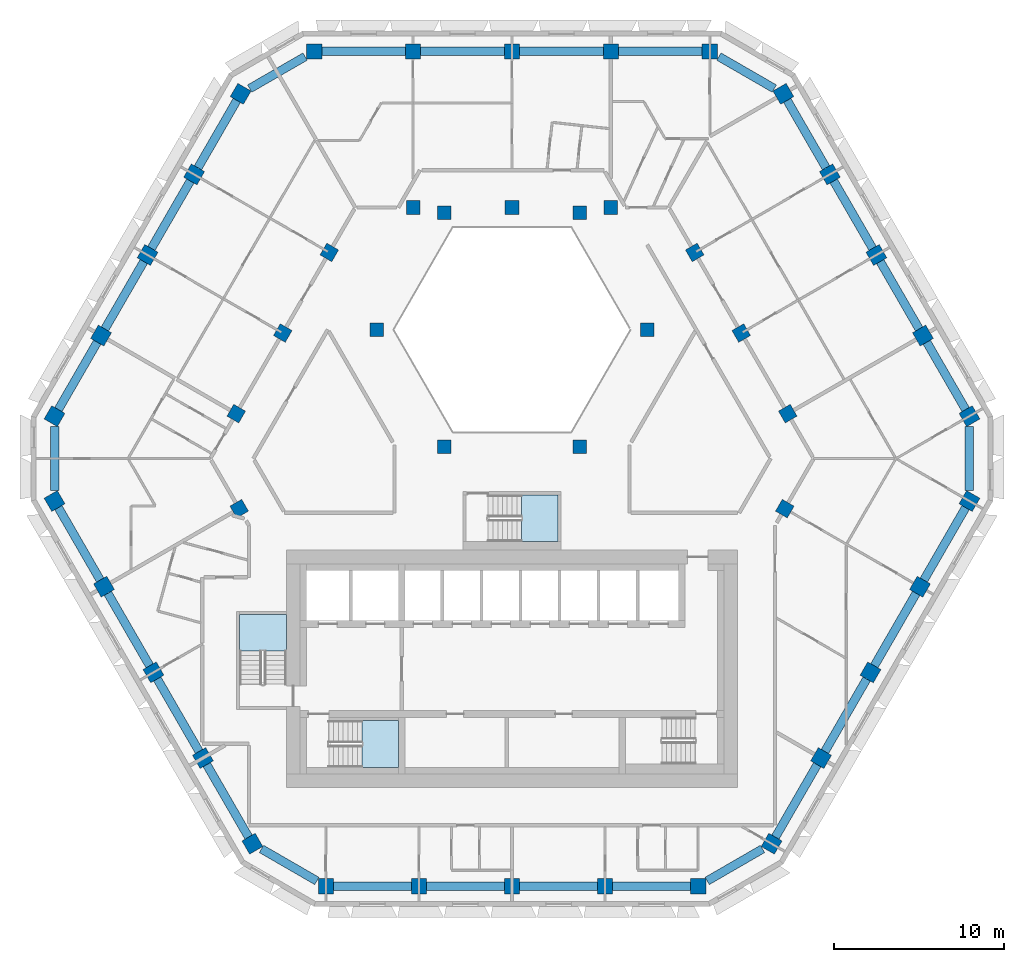
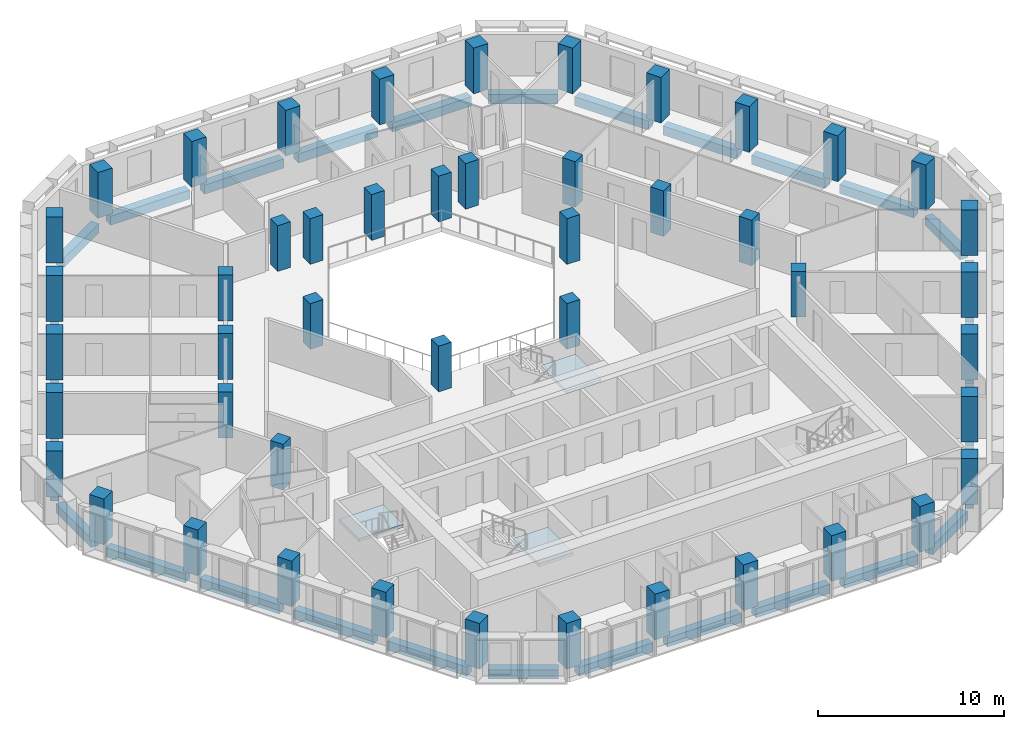
# One storey, part 1 of 15: 47 columns, 30 beams, 3 slabs, 3 elements without a shape of their own.
"""IFC4 building model written with IfcOpenShell, lengths in metres."""

from ifc_helpers import new_model, si_unit, direction, frame, origin, origin_2d, place, context, subcontext, project, spatial, polyline, rectangle, outline, extrude, material, layer, layer_set, material_profile, profile_set, type_object, element, aggregate, save


model = new_model("IFC4")

# Units and contexts
model_context = context("Model", 3, precision=1e-05, world=origin(), true_north=direction((0.0, 1.0)))
body_context = subcontext(model_context, "Body", "Model", "MODEL_VIEW")
ifc_project = project(units=[si_unit("LENGTHUNIT", "METRE"), si_unit("AREAUNIT", "SQUARE_METRE"), si_unit("VOLUMEUNIT", "CUBIC_METRE"), si_unit("PLANEANGLEUNIT", "RADIAN"), si_unit("MASSUNIT", "GRAM", prefix="KILO")], contexts=[model_context])

# Site, building, storey
site_placement = place(None, origin())
site = spatial("IfcSite", under=ifc_project, at=site_placement, CompositionType="ELEMENT")
building_placement = place(site_placement, origin())
building = spatial("IfcBuilding", under=site, at=building_placement, Name="Beryl Residences", CompositionType="ELEMENT")
storey_placement = place(building_placement, frame((0.0, 0.0, 117.60009765625)))
storey = spatial("IfcBuildingStorey", under=building, at=storey_placement, Name="L35", CompositionType="ELEMENT", Elevation=117.60009765625)

# Columns
ifc_material_1 = material(Name="Concrete C60/75", Category="concrete")
ifc_material_profile_1 = material_profile(ifc_material_1, rectangle(XDim=0.89990234375, YDim=0.89990234375, at=origin_2d()))
ifc_profile_set_1 = profile_set([ifc_material_profile_1], Name="Concrete C60/75")
column_type_1 = type_object("IfcColumnType", Name="C3 tube column 900 x 900 C60/75", PredefinedType="COLUMN", material=ifc_profile_set_1)
for number, where, z_axis, x_axis, name in (
    (1, (11.662109375, 24.39990234375, 0.0), (0.0, 0.0, 1.0), (-1.0, 0.0, 0.0), "C3-N1 L35"),
    (2, (5.8310546875, 24.39990234375, 0.0), (0.0, 0.0, 1.0), (-1.0, 0.0, 0.0), "C3-N2 L35"),
    (3, (0.0, 24.39990234375, 0.0), (0.0, 0.0, 1.0), (-1.0, 0.0, 0.0), "C3-N3 L35"),
    (4, (-5.8310546875, 24.39990234375, 0.0), (0.0, 0.0, 1.0), (-1.0, 0.0, 0.0), "C3-N4 L35"),
    (5, (-11.662109375, 24.39990234375, 0.0), (0.0, 0.0, 1.0), (-1.0, 0.0, 0.0), "C3-N5 L35"),
    (6, (-15.992919921875, 21.89990234375, 0.0), (0.0, 0.0, 1.0), (-0.5, -0.866025403784, 0.0), "C3-NW1 L35"),
    (7, (-18.735107421875, 17.14990234375, 0.0), (0.0, 0.0, 1.0), (-0.5, -0.866025403784, 0.0), "C3-NW2 L35"),
    (8, (-21.47802734375, 12.39990234375, 0.0), (0.0, 0.0, 1.0), (-0.5, -0.866025403784, 0.0), "C3-NW3 L35"),
    (9, (-24.219970703125, 7.64990234375, 0.0), (0.0, 0.0, 1.0), (-0.5, -0.866025403784, 0.0), "C3-NW4 L35"),
    (10, (-26.962890625, 2.89990234375, 0.0), (0.0, 0.0, 1.0), (-0.5, -0.866025403784, 0.0), "C3-NW5 L35"),
    (11, (-26.9619140625, -2.10009765625, 0.0), (0.0, 0.0, 1.0), (0.5, -0.866025403784, 0.0), "C3-SW1 L35"),
    (12, (-24.047119140625, -7.14892578125, 0.0), (0.0, 0.0, 1.0), (0.5, -0.866025403784, 0.0), "C3-SW2 L35"),
    (13, (-21.131103515625, -12.198974609375, 0.0), (0.0, 0.0, 1.0), (0.5, -0.866025403784, 0.0), "C3-SW3 L35"),
    (14, (-18.216064453125, -17.2490234375, 0.0), (0.0, 0.0, 1.0), (0.5, -0.866025403784, 0.0), "C3-SW4 L35"),
    (15, (-15.300048828125, -22.299072265625, 0.0), (0.0, 0.0, 1.0), (0.5, -0.866025403784, 0.0), "C3-SW5 L35"),
    (16, (-10.968994140625, -24.800048828125, 0.0), (0.0, 0.0, 1.0), (1.0, 0.0, 0.0), "C3-S1 L35"),
    (17, (-5.48388671875, -24.800048828125, 0.0), (0.0, 0.0, 1.0), (1.0, 0.0, 0.0), "C3-S2 L35"),
    (18, (0.0009765625, -24.800048828125, 0.0), (0.0, 0.0, 1.0), (1.0, 0.0, 0.0), "C3-S3 L35"),
    (19, (5.486083984375, -24.800048828125, 0.0), (0.0, 0.0, 1.0), (1.0, 0.0, 0.0), "C3-S4 L35"),
    (20, (10.970947265625, -24.800048828125, 0.0), (0.0, 0.0, 1.0), (1.0, 0.0, 0.0), "C3-S5 L35"),
    (21, (15.299072265625, -22.300048828125, 0.0), (0.0, 0.0, 1.0), (0.5, 0.866025403784, 0.0), "C3-SE1 L35"),
    (22, (18.215087890625, -17.2509765625, 0.0), (0.0, 0.0, 1.0), (0.5, 0.866025403784, 0.0), "C3-SE2 L35"),
    (23, (21.1298828125, -12.200927734375, 0.0), (0.0, 0.0, 1.0), (0.5, 0.866025403784, 0.0), "C3-SE3 L35"),
    (24, (24.0458984375, -7.15087890625, 0.0), (0.0, 0.0, 1.0), (0.5, 0.866025403784, 0.0), "C3-SE4 L35"),
    (25, (26.9609375, -2.10107421875, 0.0), (0.0, 0.0, 1.0), (0.5, 0.866025403784, 0.0), "C3-SE5 L35"),
    (26, (26.962890625, 2.89990234375, 0.0), (0.0, 0.0, 1.0), (-0.5, 0.866025403784, 0.0), "C3-NE1 L35"),
    (27, (24.219970703125, 7.64990234375, 0.0), (0.0, 0.0, 1.0), (-0.5, 0.866025403784, 0.0), "C3-NE2 L35"),
    (28, (21.47802734375, 12.39990234375, 0.0), (0.0, 0.0, 1.0), (-0.5, 0.866025403784, 0.0), "C3-NE3 L35"),
    (29, (18.735107421875, 17.14990234375, 0.0), (0.0, 0.0, 1.0), (-0.5, 0.866025403784, 0.0), "C3-NE4 L35"),
    (30, (15.992919921875, 21.89990234375, 0.0), (0.0, 0.0, 1.0), (-0.5, 0.866025403784, 0.0), "C3-NE5 L35"),
):
    element("IfcColumn", number, at=place(storey_placement, frame(where, z_axis=z_axis, x_axis=x_axis)), inside=storey, type_object=column_type_1, Name=name, PredefinedType="COLUMN", context=body_context, shape_type="SweptSolid", body=[
        extrude(rectangle(XDim=0.89990234375, YDim=0.89990234375, at=origin_2d()), origin(), (0.0, 0.0, 1.0), 3.0),
    ])
ifc_material_2 = material(Name="Concrete C60/75", Category="concrete")
ifc_material_profile_2 = material_profile(ifc_material_2, rectangle(XDim=0.800048828125, YDim=0.800048828125, at=origin_2d()))
ifc_profile_set_2 = profile_set([ifc_material_profile_2], Name="Concrete C60/75")
column_type_2 = type_object("IfcColumnType", Name="IC3 interior column 800 x 800 C60/75", PredefinedType="COLUMN", material=ifc_profile_set_2)
for number, where, z_axis, x_axis, name in (
    (31, (-16.0791015625, -2.549072265625, 0.0), (0.0, 0.0, 1.0), (0.5, -0.866025403784, 0.0), "IC3-M01 L35"),
    (32, (16.077880859375, -2.551025390625, 0.0), (0.0, 0.0, 1.0), (0.5, 0.866025403784, 0.0), "IC3-M02 L35"),
    (33, (16.2529296875, 3.050048828125, 0.0), (0.0, 0.0, 1.0), (-0.5, 0.866025403784, 0.0), "IC3-M03 L35"),
    (34, (3.98388671875, 1.10009765625, 0.0), (0.0, 0.0, 1.0), (1.0, 0.0, 0.0), "IC3-A04 L35"),
    (35, (13.510009765625, 7.800048828125, 0.0), (0.0, 0.0, 1.0), (-0.5, 0.866025403784, 0.0), "IC3-M05 L35"),
    (36, (7.967041015625, 8.0, 0.0), (0.0, 0.0, 1.0), (1.0, 0.0, 0.0), "IC3-A06 L35"),
    (37, (10.76806640625, 12.550048828125, 0.0), (0.0, 0.0, 1.0), (-0.5, 0.866025403784, 0.0), "IC3-M07 L35"),
    (38, (5.8310546875, 15.199951171875, 0.0), (0.0, 0.0, 1.0), (-1.0, 0.0, 0.0), "IC3-M08 L35"),
    (39, (3.98388671875, 14.89990234375, 0.0), (0.0, 0.0, 1.0), (1.0, 0.0, 0.0), "IC3-A09 L35"),
    (40, (0.0, 15.199951171875, 0.0), (0.0, 0.0, 1.0), (-1.0, 0.0, 0.0), "IC3-M10 L35"),
    (41, (-3.98388671875, 14.89990234375, 0.0), (0.0, 0.0, 1.0), (1.0, 0.0, 0.0), "IC3-A11 L35"),
    (42, (-5.8310546875, 15.199951171875, 0.0), (0.0, 0.0, 1.0), (-1.0, 0.0, 0.0), "IC3-M12 L35"),
    (43, (-10.76806640625, 12.550048828125, 0.0), (0.0, 0.0, 1.0), (-0.5, -0.866025403784, 0.0), "IC3-M13 L35"),
    (44, (-7.967041015625, 8.0, 0.0), (0.0, 0.0, 1.0), (1.0, 0.0, 0.0), "IC3-A14 L35"),
    (45, (-13.510009765625, 7.800048828125, 0.0), (0.0, 0.0, 1.0), (-0.5, -0.866025403784, 0.0), "IC3-M15 L35"),
    (46, (-3.98388671875, 1.10009765625, 0.0), (0.0, 0.0, 1.0), (1.0, 0.0, 0.0), "IC3-A16 L35"),
    (47, (-16.2529296875, 3.050048828125, 0.0), (0.0, 0.0, 1.0), (-0.5, -0.866025403784, 0.0), "IC3-M17 L35"),
):
    element("IfcColumn", number, at=place(storey_placement, frame(where, z_axis=z_axis, x_axis=x_axis)), inside=storey, type_object=column_type_2, Name=name, PredefinedType="COLUMN", context=body_context, shape_type="SweptSolid", body=[
        extrude(rectangle(XDim=0.800048828125, YDim=0.800048828125, at=origin_2d()), origin(), (0.0, 0.0, 1.0), 3.0),
    ])

# Beams
ifc_material_3 = material(Name="Concrete C60/75", Category="concrete")
ifc_material_profile_3 = material_profile(ifc_material_3, rectangle(XDim=0.5, YDim=0.60009765625, at=origin_2d()))
ifc_profile_set_3 = profile_set([ifc_material_profile_3], Name="Concrete C60/75")
beam_type = type_object("IfcBeamType", Name="SB3 spandrel beam 500 x 600 C60/75", PredefinedType="SPANDREL", material=ifc_profile_set_3)
beam_1_placement = place(storey_placement, frame((11.2119140625, 24.39990234375, -0.60009765625), z_axis=(-1.0, 0.0, 0.0), x_axis=(0.0, -1.0, 0.0)))
element("IfcBeam", 48, at=beam_1_placement, inside=storey, type_object=beam_type, Name="SB3 L35 N-0", PredefinedType="SPANDREL", context=body_context, shape_type="SweptSolid", body=[
    extrude(rectangle(XDim=0.5, YDim=0.60009765625, at=origin_2d()), origin(), (0.0, 0.0, 1.0), 4.930908203125),
])
for number, where, z_axis, x_axis, name in (
    (49, (5.381103515625, 24.39990234375, -0.60009765625), (-1.0, 0.0, 0.0), (0.0, -1.0, 0.0), "SB3 L35 N-1"),
    (50, (-0.449951171875, 24.39990234375, -0.60009765625), (-1.0, 0.0, 0.0), (0.0, -1.0, 0.0), "SB3 L35 N-2"),
):
    element("IfcBeam", number, at=place(storey_placement, frame(where, z_axis=z_axis, x_axis=x_axis)), inside=storey, type_object=beam_type, Name=name, PredefinedType="SPANDREL", context=body_context, shape_type="SweptSolid", body=[
        extrude(rectangle(XDim=0.5, YDim=0.60009765625, at=origin_2d()), origin(), (0.0, 0.0, 1.0), 4.93115234375),
    ])
beam_2_placement = place(storey_placement, frame((-6.281005859375, 24.39990234375, -0.60009765625), z_axis=(-1.0, 0.0, 0.0), x_axis=(0.0, -1.0, 0.0)))
element("IfcBeam", 51, at=beam_2_placement, inside=storey, type_object=beam_type, Name="SB3 L35 N-3", PredefinedType="SPANDREL", context=body_context, shape_type="SweptSolid", body=[
    extrude(rectangle(XDim=0.5, YDim=0.60009765625, at=origin_2d()), origin(), (0.0, 0.0, 1.0), 4.930908203125),
])
beam_3_placement = place(storey_placement, frame((-12.194091796875, 24.093017578125, -0.60009765625), z_axis=(-0.866040087317, -0.499974566514, 0.0), x_axis=(0.499974566514, -0.866040087317, 0.0)))
element("IfcBeam", 52, at=beam_3_placement, inside=storey, type_object=beam_type, Name="SB3 L35 N-4", PredefinedType="SPANDREL", context=body_context, shape_type="SweptSolid", body=[
    extrude(rectangle(XDim=0.5, YDim=0.60009765625, at=origin_2d()), origin(), (0.0, 0.0, 1.0), 3.772216796875),
])
beam_4_placement = place(storey_placement, frame((-16.218017578125, 21.510009765625, -0.60009765625), z_axis=(-0.49998830735, -0.866032154434, 0.0), x_axis=(0.866032154434, -0.49998830735, 0.0)))
element("IfcBeam", 53, at=beam_4_placement, inside=storey, type_object=beam_type, Name="SB3 L35 NW-0", PredefinedType="SPANDREL", context=body_context, shape_type="SweptSolid", body=[
    extrude(rectangle(XDim=0.5, YDim=0.60009765625, at=origin_2d()), origin(), (0.0, 0.0, 1.0), 4.583984375),
])
beam_5_placement = place(storey_placement, frame((-18.9599609375, 16.760009765625, -0.60009765625), z_axis=(-0.500148059018, -0.865939904993, 0.0), x_axis=(0.865939904993, -0.500148059018, 0.0)))
element("IfcBeam", 54, at=beam_5_placement, inside=storey, type_object=beam_type, Name="SB3 L35 NW-1", PredefinedType="SPANDREL", context=body_context, shape_type="SweptSolid", body=[
    extrude(rectangle(XDim=0.5, YDim=0.60009765625, at=origin_2d()), origin(), (0.0, 0.0, 1.0), 4.58447265625),
])
beam_6_placement = place(storey_placement, frame((-21.702880859375, 12.010009765625, -0.60009765625), z_axis=(-0.500028250054, -0.866009092994, 0.0), x_axis=(0.866009092994, -0.500028250054, 0.0)))
element("IfcBeam", 55, at=beam_6_placement, inside=storey, type_object=beam_type, Name="SB3 L35 NW-2", PredefinedType="SPANDREL", context=body_context, shape_type="SweptSolid", body=[
    extrude(rectangle(XDim=0.5, YDim=0.60009765625, at=origin_2d()), origin(), (0.0, 0.0, 1.0), 4.584228515625),
])
beam_7_placement = place(storey_placement, frame((-24.445068359375, 7.260009765625, -0.60009765625), z_axis=(-0.500148059018, -0.865939904993, 0.0), x_axis=(0.865939904993, -0.500148059018, 0.0)))
element("IfcBeam", 56, at=beam_7_placement, inside=storey, type_object=beam_type, Name="SB3 L35 NW-3", PredefinedType="SPANDREL", context=body_context, shape_type="SweptSolid", body=[
    extrude(rectangle(XDim=0.5, YDim=0.60009765625, at=origin_2d()), origin(), (0.0, 0.0, 1.0), 4.58447265625),
])
beam_8_placement = place(storey_placement, frame((-26.962890625, 2.285888671875, -0.60009765625), z_axis=(0.000258899668, -0.999999966485, 0.0), x_axis=(0.999999966485, 0.000258899668, 0.0)))
element("IfcBeam", 57, at=beam_8_placement, inside=storey, type_object=beam_type, Name="SB3 L35 NW-4", PredefinedType="SPANDREL", context=body_context, shape_type="SweptSolid", body=[
    extrude(rectangle(XDim=0.5, YDim=0.60009765625, at=origin_2d()), origin(), (0.0, 0.0, 1.0), 3.77197265625),
])
beam_9_placement = place(storey_placement, frame((-26.737060546875, -2.489990234375, -0.60009765625), z_axis=(0.50005397607, -0.865994238443, 0.0), x_axis=(0.865994238443, 0.50005397607, 0.0)))
element("IfcBeam", 58, at=beam_9_placement, inside=storey, type_object=beam_type, Name="SB3 L35 SW-0", PredefinedType="SPANDREL", context=body_context, shape_type="SweptSolid", body=[
    extrude(rectangle(XDim=0.5, YDim=0.60009765625, at=origin_2d()), origin(), (0.0, 0.0, 1.0), 4.9296875),
])
beam_10_placement = place(storey_placement, frame((-23.822021484375, -7.5390625, -0.60009765625), z_axis=(0.500116736097, -0.865957995677, 0.0), x_axis=(0.865957995677, 0.500116736097, 0.0)))
element("IfcBeam", 59, at=beam_10_placement, inside=storey, type_object=beam_type, Name="SB3 L35 SW-1", PredefinedType="SPANDREL", context=body_context, shape_type="SweptSolid", body=[
    extrude(rectangle(XDim=0.5, YDim=0.60009765625, at=origin_2d()), origin(), (0.0, 0.0, 1.0), 4.930908203125),
])
beam_11_placement = place(storey_placement, frame((-20.906005859375, -12.589111328125, -0.60009765625), z_axis=(0.499989643469, -0.866031383048, 0.0), x_axis=(0.866031383048, 0.499989643469, 0.0)))
element("IfcBeam", 60, at=beam_11_placement, inside=storey, type_object=beam_type, Name="SB3 L35 SW-2", PredefinedType="SPANDREL", context=body_context, shape_type="SweptSolid", body=[
    extrude(rectangle(XDim=0.5, YDim=0.60009765625, at=origin_2d()), origin(), (0.0, 0.0, 1.0), 4.93017578125),
])
beam_12_placement = place(storey_placement, frame((-17.990966796875, -17.638916015625, -0.60009765625), z_axis=(0.500116736097, -0.865957995677, 0.0), x_axis=(0.865957995677, 0.500116736097, 0.0)))
element("IfcBeam", 61, at=beam_12_placement, inside=storey, type_object=beam_type, Name="SB3 L35 SW-3", PredefinedType="SPANDREL", context=body_context, shape_type="SweptSolid", body=[
    extrude(rectangle(XDim=0.5, YDim=0.60009765625, at=origin_2d()), origin(), (0.0, 0.0, 1.0), 4.930908203125),
])
beam_13_placement = place(storey_placement, frame((-14.76806640625, -22.60595703125, -0.60009765625), z_axis=(0.865944170592, -0.500140673629, 0.0), x_axis=(0.500140673629, 0.865944170592, 0.0)))
element("IfcBeam", 62, at=beam_13_placement, inside=storey, type_object=beam_type, Name="SB3 L35 SW-4", PredefinedType="SPANDREL", context=body_context, shape_type="SweptSolid", body=[
    extrude(rectangle(XDim=0.5, YDim=0.60009765625, at=origin_2d()), origin(), (0.0, 0.0, 1.0), 3.77294921875),
])
for number, where, z_axis, x_axis, name in (
    (63, (-10.51904296875, -24.800048828125, -0.60009765625), (1.0, 0.0, 0.0), (0.0, 1.0, 0.0), "SB3 L35 S-0"),
    (64, (-5.033935546875, -24.800048828125, -0.60009765625), (1.0, 0.0, 0.0), (0.0, 1.0, 0.0), "SB3 L35 S-1"),
    (65, (0.450927734375, -24.800048828125, -0.60009765625), (1.0, 0.0, 0.0), (0.0, 1.0, 0.0), "SB3 L35 S-2"),
    (66, (5.93603515625, -24.800048828125, -0.60009765625), (1.0, 0.0, 0.0), (0.0, 1.0, 0.0), "SB3 L35 S-3"),
):
    element("IfcBeam", number, at=place(storey_placement, frame(where, z_axis=z_axis, x_axis=x_axis)), inside=storey, type_object=beam_type, Name=name, PredefinedType="SPANDREL", context=body_context, shape_type="SweptSolid", body=[
        extrude(rectangle(XDim=0.5, YDim=0.60009765625, at=origin_2d()), origin(), (0.0, 0.0, 1.0), 4.5849609375),
    ])
beam_14_placement = place(storey_placement, frame((11.5029296875, -24.492919921875, -0.60009765625), z_axis=(0.865861956233, 0.500282992663, 0.0), x_axis=(-0.500282992663, 0.865861956233, 0.0)))
element("IfcBeam", 67, at=beam_14_placement, inside=storey, type_object=beam_type, Name="SB3 L35 S-4", PredefinedType="SPANDREL", context=body_context, shape_type="SweptSolid", body=[
    extrude(rectangle(XDim=0.5, YDim=0.60009765625, at=origin_2d()), origin(), (0.0, 0.0, 1.0), 3.769775390625),
])
beam_15_placement = place(storey_placement, frame((15.52392578125, -21.909912109375, -0.60009765625), z_axis=(0.500223967704, 0.86589605735, 0.0), x_axis=(-0.86589605735, 0.500223967704, 0.0)))
element("IfcBeam", 68, at=beam_15_placement, inside=storey, type_object=beam_type, Name="SB3 L35 SE-0", PredefinedType="SPANDREL", context=body_context, shape_type="SweptSolid", body=[
    extrude(rectangle(XDim=0.5, YDim=0.60009765625, at=origin_2d()), origin(), (0.0, 0.0, 1.0), 4.929931640625),
])
beam_16_placement = place(storey_placement, frame((18.43994140625, -16.861083984375, -0.60009765625), z_axis=(0.499968202334, 0.866043761397, 0.0), x_axis=(-0.866043761397, 0.499968202334, 0.0)))
element("IfcBeam", 69, at=beam_16_placement, inside=storey, type_object=beam_type, Name="SB3 L35 SE-1", PredefinedType="SPANDREL", context=body_context, shape_type="SweptSolid", body=[
    extrude(rectangle(XDim=0.5, YDim=0.60009765625, at=origin_2d()), origin(), (0.0, 0.0, 1.0), 4.930419921875),
])
beam_17_placement = place(storey_placement, frame((21.35498046875, -11.81103515625, -0.60009765625), z_axis=(0.500116736097, 0.865957995677, 0.0), x_axis=(-0.865957995677, 0.500116736097, 0.0)))
element("IfcBeam", 70, at=beam_17_placement, inside=storey, type_object=beam_type, Name="SB3 L35 SE-2", PredefinedType="SPANDREL", context=body_context, shape_type="SweptSolid", body=[
    extrude(rectangle(XDim=0.5, YDim=0.60009765625, at=origin_2d()), origin(), (0.0, 0.0, 1.0), 4.930908203125),
])
beam_18_placement = place(storey_placement, frame((24.27099609375, -6.760986328125, -0.60009765625), z_axis=(0.499968202334, 0.866043761397, 0.0), x_axis=(-0.866043761397, 0.499968202334, 0.0)))
element("IfcBeam", 71, at=beam_18_placement, inside=storey, type_object=beam_type, Name="SB3 L35 SE-3", PredefinedType="SPANDREL", context=body_context, shape_type="SweptSolid", body=[
    extrude(rectangle(XDim=0.5, YDim=0.60009765625, at=origin_2d()), origin(), (0.0, 0.0, 1.0), 4.930419921875),
])
beam_19_placement = place(storey_placement, frame((26.9609375, -1.487060546875, -0.60009765625), z_axis=(0.00051766526, 0.999999866011, 0.0), x_axis=(-0.999999866011, 0.00051766526, 0.0)))
element("IfcBeam", 72, at=beam_19_placement, inside=storey, type_object=beam_type, Name="SB3 L35 SE-4", PredefinedType="SPANDREL", context=body_context, shape_type="SweptSolid", body=[
    extrude(rectangle(XDim=0.5, YDim=0.60009765625, at=origin_2d()), origin(), (0.0, 0.0, 1.0), 3.77294921875),
])
beam_20_placement = place(storey_placement, frame((26.738037109375, 3.2900390625, -0.60009765625), z_axis=(-0.500148059018, 0.865939904993, 0.0), x_axis=(-0.865939904993, -0.500148059018, 0.0)))
element("IfcBeam", 73, at=beam_20_placement, inside=storey, type_object=beam_type, Name="SB3 L35 NE-0", PredefinedType="SPANDREL", context=body_context, shape_type="SweptSolid", body=[
    extrude(rectangle(XDim=0.5, YDim=0.60009765625, at=origin_2d()), origin(), (0.0, 0.0, 1.0), 4.58447265625),
])
beam_21_placement = place(storey_placement, frame((23.9951171875, 8.0400390625, -0.60009765625), z_axis=(-0.500028250054, 0.866009092994, 0.0), x_axis=(-0.866009092994, -0.500028250054, 0.0)))
element("IfcBeam", 74, at=beam_21_placement, inside=storey, type_object=beam_type, Name="SB3 L35 NE-1", PredefinedType="SPANDREL", context=body_context, shape_type="SweptSolid", body=[
    extrude(rectangle(XDim=0.5, YDim=0.60009765625, at=origin_2d()), origin(), (0.0, 0.0, 1.0), 4.584228515625),
])
beam_22_placement = place(storey_placement, frame((21.2529296875, 12.7900390625, -0.60009765625), z_axis=(-0.500148059018, 0.865939904993, 0.0), x_axis=(-0.865939904993, -0.500148059018, 0.0)))
element("IfcBeam", 75, at=beam_22_placement, inside=storey, type_object=beam_type, Name="SB3 L35 NE-2", PredefinedType="SPANDREL", context=body_context, shape_type="SweptSolid", body=[
    extrude(rectangle(XDim=0.5, YDim=0.60009765625, at=origin_2d()), origin(), (0.0, 0.0, 1.0), 4.58447265625),
])
beam_23_placement = place(storey_placement, frame((18.510009765625, 17.5400390625, -0.60009765625), z_axis=(-0.49998830735, 0.866032154434, 0.0), x_axis=(-0.866032154434, -0.49998830735, 0.0)))
element("IfcBeam", 76, at=beam_23_placement, inside=storey, type_object=beam_type, Name="SB3 L35 NE-3", PredefinedType="SPANDREL", context=body_context, shape_type="SweptSolid", body=[
    extrude(rectangle(XDim=0.5, YDim=0.60009765625, at=origin_2d()), origin(), (0.0, 0.0, 1.0), 4.583984375),
])
beam_24_placement = place(storey_placement, frame((15.4609375, 22.20703125, -0.60009765625), z_axis=(-0.866040087317, 0.499974566514, 0.0), x_axis=(-0.499974566514, -0.866040087317, 0.0)))
element("IfcBeam", 77, at=beam_24_placement, inside=storey, type_object=beam_type, Name="SB3 L35 NE-4", PredefinedType="SPANDREL", context=body_context, shape_type="SweptSolid", body=[
    extrude(rectangle(XDim=0.5, YDim=0.60009765625, at=origin_2d()), origin(), (0.0, 0.0, 1.0), 3.772216796875),
])

# Stair, slab
ifc_material_4 = material(Name="Concrete C40/50", Category="concrete")
stair_type = type_object("IfcStairType", Name="ST1 protected exit stair, half-turn, 1300 mm flights", PredefinedType="HALF_TURN_STAIR", material=ifc_material_4)
stair_1_placement = place(storey_placement, origin())
stair_1 = element("IfcStair", 78, at=stair_1_placement, inside=storey, type_object=stair_type, Name="L35 PROTECTED EXIT STAIR ST-1", PredefinedType="HALF_TURN_STAIR")
ifc_material_5 = material(Name="Concrete C40/50", Category="concrete")
ifc_layer = layer(ifc_material_5, 0.199951171875)
ifc_layer_set = layer_set([ifc_layer], Name="SLD1 stair landing 200 mm")
slab_type = type_object("IfcSlabType", Name="SLD1 stair landing 200 mm", PredefinedType="LANDING", material=ifc_layer_set)
slab_1_placement = place(storey_placement, frame((0.0, 0.0, 1.2998046875)))
slab_1 = element("IfcSlab", 79, at=slab_1_placement, type_object=slab_type, Name="ST-1 landing 1", PredefinedType="LANDING", context=body_context, shape_type="SweptSolid", body=[
    extrude(outline(polyline([(-8.840087890625, -17.800048828125), (-6.699951171875, -17.800048828125), (-6.699951171875, -15.050048828125), (-8.840087890625, -15.050048828125), (-8.840087890625, -17.800048828125)])), origin(), (0.0, 0.0, 1.0), 0.2001953125),
])
aggregate(stair_1, [slab_1])

stair_2_placement = place(storey_placement, origin())
stair_2 = element("IfcStair", 80, at=stair_2_placement, inside=storey, type_object=stair_type, Name="L35 PROTECTED EXIT STAIR ST-2", PredefinedType="HALF_TURN_STAIR")
slab_2_placement = place(storey_placement, frame((0.0, 0.0, 1.2998046875)))
slab_2 = element("IfcSlab", 81, at=slab_2_placement, type_object=slab_type, Name="ST-2 landing 1", PredefinedType="LANDING", context=body_context, shape_type="SweptSolid", body=[
    extrude(outline(polyline([(-13.300048828125, -10.93994140625), (-13.300048828125, -8.800048828125), (-16.050048828125, -8.800048828125), (-16.050048828125, -10.93994140625), (-13.300048828125, -10.93994140625)])), origin(), (0.0, 0.0, 1.0), 0.2001953125),
])
aggregate(stair_2, [slab_2])

stair_3_placement = place(storey_placement, origin())
stair_3 = element("IfcStair", 82, at=stair_3_placement, inside=storey, type_object=stair_type, Name="L35 PROTECTED EXIT STAIR ST-4", PredefinedType="HALF_TURN_STAIR")
slab_3_placement = place(storey_placement, frame((0.0, 0.0, 1.2998046875)))
slab_3 = element("IfcSlab", 83, at=slab_3_placement, type_object=slab_type, Name="ST-4 landing 1", PredefinedType="LANDING", context=body_context, shape_type="SweptSolid", body=[
    extrude(outline(polyline([(0.56005859375, -4.5), (2.699951171875, -4.5), (2.699951171875, -1.75), (0.56005859375, -1.75), (0.56005859375, -4.5)])), origin(), (0.0, 0.0, 1.0), 0.2001953125),
])
aggregate(stair_3, [slab_3])

save(model, "model.ifc")
